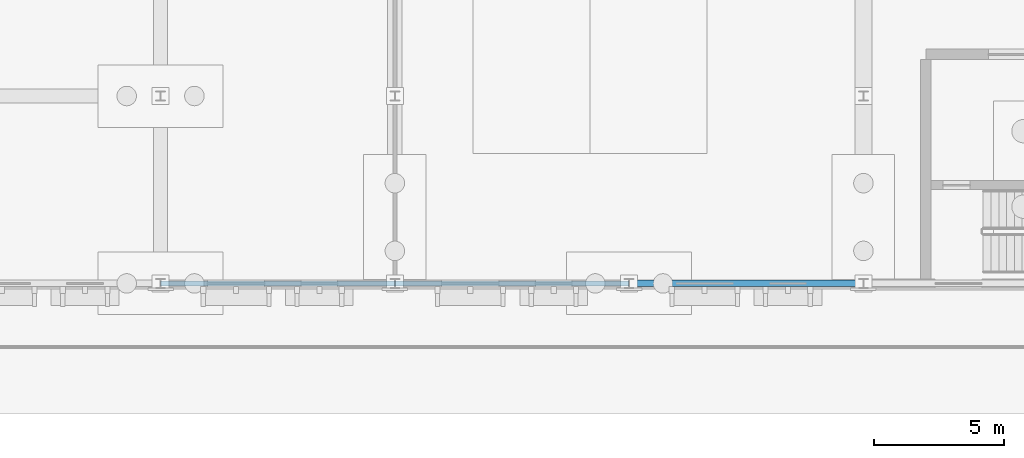
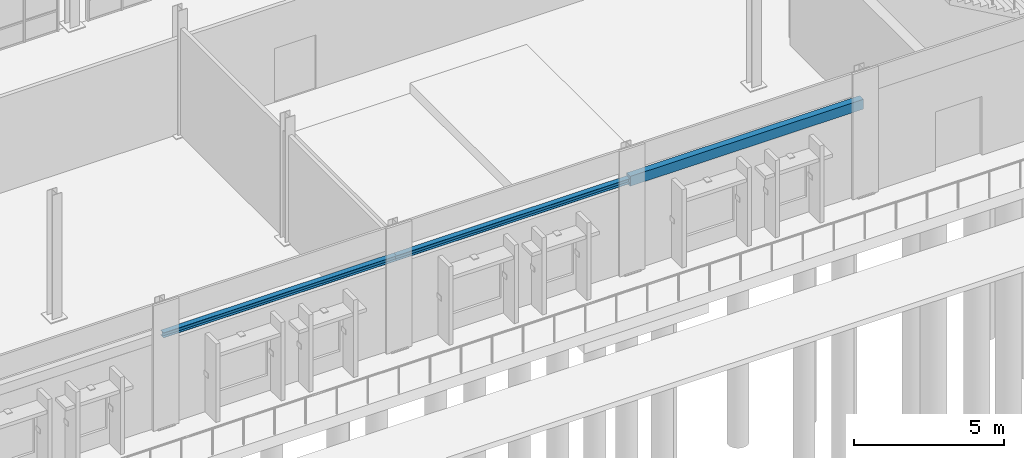
# One storey, part 37 of 94: 3 beams.
"""IFC4 building model written with IfcOpenShell, lengths in metres."""

from ifc_helpers import new_model, si_unit, direction, frame, origin, origin_2d, place, context, subcontext, project, spatial, rectangle, i_section, extrude, material, material_profile, profile_set, type_object, element, save


model = new_model("IFC4")

# Units and contexts
model_context = context("Model", 3, precision=1e-05, world=origin(), true_north=direction((0.0, 1.0)))
body_context = subcontext(model_context, "Body", "Model", "MODEL_VIEW")
ifc_project = project(units=[si_unit("LENGTHUNIT", "METRE"), si_unit("AREAUNIT", "SQUARE_METRE"), si_unit("VOLUMEUNIT", "CUBIC_METRE"), si_unit("PLANEANGLEUNIT", "RADIAN"), si_unit("MASSUNIT", "GRAM", prefix="KILO")], contexts=[model_context])

# Site, building, storey
site_placement = place(None, origin())
site = spatial("IfcSite", under=ifc_project, at=site_placement, CompositionType="ELEMENT")
building_placement = place(site_placement, origin())
building = spatial("IfcBuilding", under=site, at=building_placement, Name="Vervanel Yard Central Library", CompositionType="ELEMENT")
storey_placement = place(building_placement, origin())
storey = spatial("IfcBuildingStorey", under=building, at=storey_placement, Name="L00", CompositionType="ELEMENT", Elevation=0.0)

# Beams
ifc_material_1 = material(Name="Concrete C40/50", Category="concrete")
ifc_material_profile_1 = material_profile(ifc_material_1, rectangle(XDim=0.25, YDim=0.39990234375, at=origin_2d()), Name="RC 250x400", Category="concrete")
ifc_profile_set_1 = profile_set([ifc_material_profile_1], Name="Concrete C40/50")
beam_type_1 = type_object("IfcBeamType", Name="Concrete Shutter Lintel 250x400", PredefinedType="LINTEL", material=ifc_profile_set_1)
beam_placement = place(storey_placement, frame((81.0, 0.0, 3.64990234375), z_axis=(1.0, 0.0, 0.0), x_axis=(0.0, 1.0, 0.0)))
element("IfcBeam", 1, at=beam_placement, inside=storey, type_object=beam_type_1, Name="L00 Portal Opening Lintel 12", PredefinedType="LINTEL", context=body_context, shape_type="SweptSolid", body=[
    extrude(rectangle(XDim=0.25, YDim=0.39990234375, at=origin_2d()), origin(), (0.0, 0.0, 1.0), 9.0),
])
ifc_material_2 = material(Name="Steel ASTM A992 Grade 50", Category="steel")
ifc_material_profile_2 = material_profile(ifc_material_2, i_section(OverallWidth=0.203125, OverallDepth=0.203125, WebThickness=0.00732421875, FlangeThickness=0.010986328125, at=origin_2d()), Name="W8X31", Category="steel")
ifc_profile_set_2 = profile_set([ifc_material_profile_2], Name="Steel ASTM A992 Grade 50")
beam_type_2 = type_object("IfcBeamType", Name="Steel Opening Lintel W8X31", PredefinedType="LINTEL", material=ifc_profile_set_2)
for number, where, z_axis, x_axis, name in (
    (2, (63.0, 0.0, 3.64990234375), (1.0, 0.0, 0.0), (0.0, 1.0, 0.0), "L00 Portal Opening Lintel 10"),
    (3, (72.0, 0.0, 3.64990234375), (1.0, 0.0, 0.0), (0.0, 1.0, 0.0), "L00 Portal Opening Lintel 11"),
):
    element("IfcBeam", number, at=place(storey_placement, frame(where, z_axis=z_axis, x_axis=x_axis)), inside=storey, type_object=beam_type_2, Name=name, PredefinedType="LINTEL", context=body_context, shape_type="SweptSolid", body=[
        extrude(i_section(OverallWidth=0.203125, OverallDepth=0.203125, WebThickness=0.00732421875, FlangeThickness=0.010986328125, at=origin_2d()), origin(), (0.0, 0.0, 1.0), 9.0),
    ])

save(model, "model.ifc")
